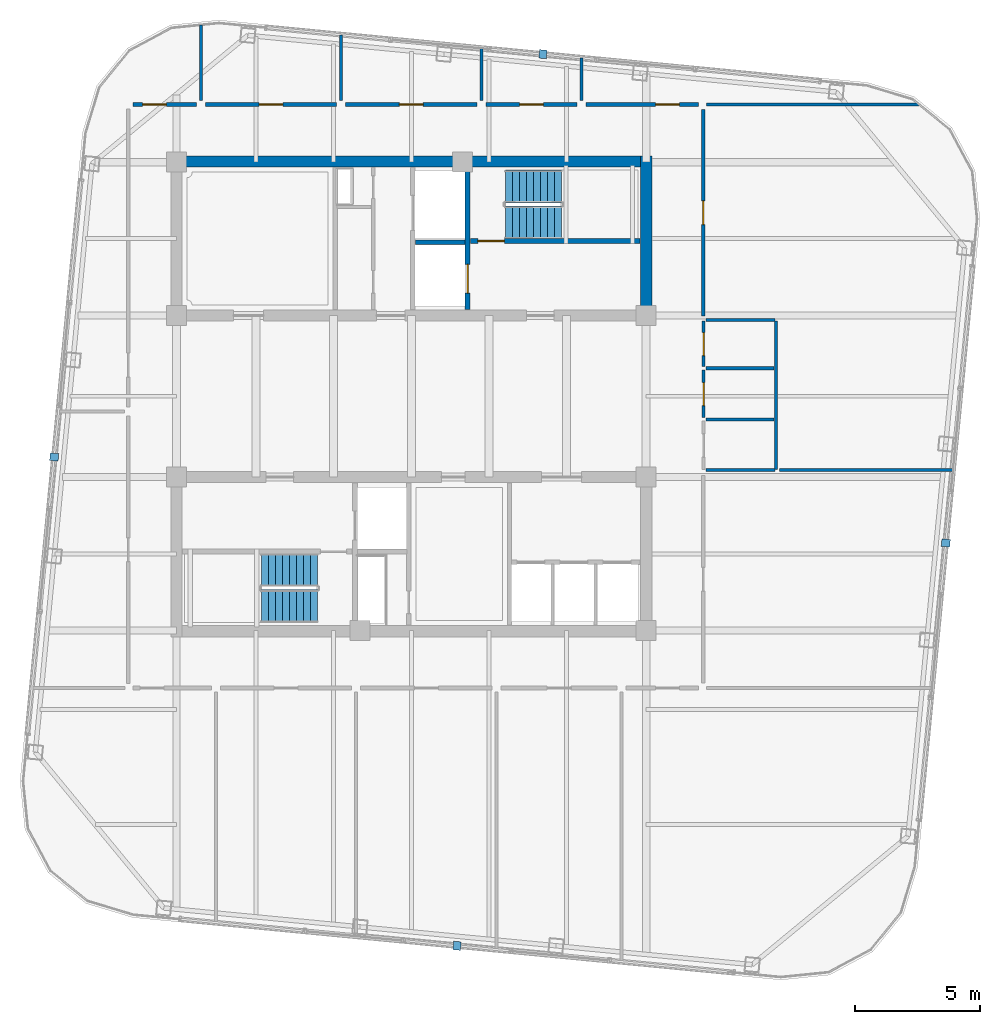
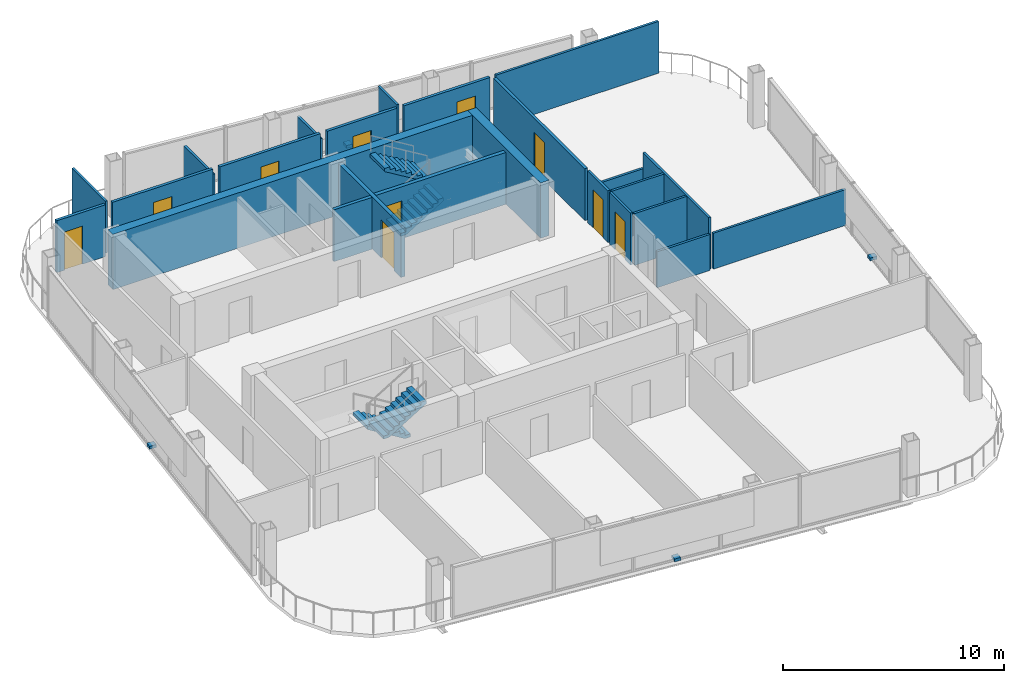
# One storey, part 18 of 22: 24 walls, 10 doors, 4 discrete accessories, 4 stair flights, 10 openings, 2 elements without a shape of their own.
"""IFC4 building model written with IfcOpenShell, lengths in metres."""

from ifc_helpers import new_model, si_unit, direction, frame, frame_2d, origin, origin_2d, place, context, subcontext, project, spatial, polyline, rectangle, outline, extrude, material, layer, layer_set, type_object, element, fill, aggregate, save


model = new_model("IFC4")

# Units and contexts
model_context = context("Model", 3, precision=1e-05, world=origin(), true_north=direction((0.0, 1.0)))
body_context = subcontext(model_context, "Body", "Model", "MODEL_VIEW")
ifc_project = project(units=[si_unit("LENGTHUNIT", "METRE"), si_unit("AREAUNIT", "SQUARE_METRE"), si_unit("VOLUMEUNIT", "CUBIC_METRE"), si_unit("PLANEANGLEUNIT", "RADIAN"), si_unit("MASSUNIT", "GRAM", prefix="KILO")], contexts=[model_context])

# Site, building, storey
site_placement = place(None, origin())
site = spatial("IfcSite", under=ifc_project, at=site_placement, CompositionType="ELEMENT")
building_placement = place(site_placement, origin())
building = spatial("IfcBuilding", under=site, at=building_placement, Name="Qhalaya Broadcast Tower", CompositionType="ELEMENT")
storey_placement = place(building_placement, frame((0.0, 0.0, 252.0)))
storey = spatial("IfcBuildingStorey", under=building, at=storey_placement, Name="L74", CompositionType="ELEMENT", Elevation=252.0)

# Wall, opening, door
ifc_material_1 = material(Name="Gypsum Acoustic Partition")
ifc_layer_1 = layer(ifc_material_1, 0.14990234375, Name="Gypsum Acoustic Partition")
ifc_layer_set_1 = layer_set([ifc_layer_1], Name="Gypsum Acoustic Partition")
wall_type_1 = type_object("IfcWallType", Name="Corridor & Tenancy Acoustic Partition 150", PredefinedType="PARTITIONING", material=ifc_layer_set_1)
wall_1_placement = place(storey_placement, frame((-11.1201171875, 12.25, 0.0), z_axis=(0.0, 0.0, 1.0), x_axis=(1.0, 0.0, 0.0)))
wall_1 = element("IfcWall", 1, at=wall_1_placement, inside=storey, type_object=wall_type_1, Name="L74 Partition Wall W-COR-01", PredefinedType="PARTITIONING", context=body_context, shape_type="SweptSolid", body=[
    extrude(rectangle(XDim=2.5400390625, YDim=0.14990234375, at=frame_2d((1.27001953125, 0.0))), origin(), (0.0, 0.0, 1.0), 2.860107421875),
])
opening_1_placement = place(wall_1_placement, frame((0.39501953125, 0.0, 0.0)))
opening_1 = element("IfcOpeningElement", 2, at=opening_1_placement, cuts=wall_1, Name="Opening D10", PredefinedType="OPENING", context=body_context, shape_type="SweptSolid", body=[
    extrude(rectangle(XDim=0.949951171875, YDim=2.10009765625, at=frame_2d((0.47509765625, 1.050048828125))), frame((0.0, 0.0869140625, 0.0), z_axis=(0.0, -1.0, 0.0), x_axis=(1.0, 0.0, 0.0)), (0.0, 0.0, 1.0), 0.173828125),
])
ifc_material_2 = material(Name="Timber Veneer Acoustic Door", Category="wood")
door_type_1 = type_object("IfcDoorType", Name="Cellular Office & Edit Booth Door D10", OperationType="NOTDEFINED", PredefinedType="DOOR", material=ifc_material_2)
door_1_placement = place(opening_1_placement, origin())
door_1 = element("IfcDoor", 3, at=door_1_placement, inside=storey, type_object=door_type_1, Name="L74 Door D-RM01", OperationType="SINGLE_SWING_RIGHT", OverallHeight=2.10009765625, OverallWidth=0.949951171875, PredefinedType="DOOR", context=body_context, shape_type="SweptSolid", body=[
    extrude(rectangle(XDim=0.949951171875, YDim=2.10009765625, at=frame_2d((0.47509765625, 1.050048828125))), frame((0.0, 0.02490234375, 0.0), z_axis=(0.0, -1.0, 0.0), x_axis=(1.0, 0.0, 0.0)), (0.0, 0.0, 1.0), 0.050048828125),
])
fill(opening_1, door_1)

wall_2_placement = place(storey_placement, frame((-8.219970703125, 12.25, 0.0), z_axis=(0.0, 0.0, 1.0), x_axis=(1.0, 0.0, 0.0)))
wall_2 = element("IfcWall", 4, at=wall_2_placement, inside=storey, type_object=wall_type_1, Name="L74 Partition Wall W-COR-02", PredefinedType="PARTITIONING", context=body_context, shape_type="SweptSolid", body=[
    extrude(rectangle(XDim=5.239990234375, YDim=0.14990234375, at=frame_2d((2.6201171875, 0.0))), origin(), (0.0, 0.0, 1.0), 2.860107421875),
])
opening_2_placement = place(wall_2_placement, frame((2.14501953125, 0.0, 0.0)))
opening_2 = element("IfcOpeningElement", 5, at=opening_2_placement, cuts=wall_2, Name="Opening D10", PredefinedType="OPENING", context=body_context, shape_type="SweptSolid", body=[
    extrude(rectangle(XDim=0.949951171875, YDim=2.10009765625, at=frame_2d((0.47509765625, 1.050048828125))), frame((0.0, 0.0869140625, 0.0), z_axis=(0.0, -1.0, 0.0), x_axis=(1.0, 0.0, 0.0)), (0.0, 0.0, 1.0), 0.173828125),
])
door_2_placement = place(opening_2_placement, origin())
door_2 = element("IfcDoor", 6, at=door_2_placement, inside=storey, type_object=door_type_1, Name="L74 Door D-RM02", OperationType="SINGLE_SWING_LEFT", OverallHeight=2.10009765625, OverallWidth=0.949951171875, PredefinedType="DOOR", context=body_context, shape_type="SweptSolid", body=[
    extrude(rectangle(XDim=0.949951171875, YDim=2.10009765625, at=frame_2d((0.47509765625, 1.050048828125))), frame((0.0, 0.02490234375, 0.0), z_axis=(0.0, -1.0, 0.0), x_axis=(1.0, 0.0, 0.0)), (0.0, 0.0, 1.0), 0.050048828125),
])
fill(opening_2, door_2)

wall_3_placement = place(storey_placement, frame((-2.6201171875, 12.25, 0.0), z_axis=(0.0, 0.0, 1.0), x_axis=(1.0, 0.0, 0.0)))
wall_3 = element("IfcWall", 7, at=wall_3_placement, inside=storey, type_object=wall_type_1, Name="L74 Partition Wall W-COR-03", PredefinedType="PARTITIONING", context=body_context, shape_type="SweptSolid", body=[
    extrude(rectangle(XDim=5.240234375, YDim=0.14990234375, at=frame_2d((2.6201171875, 0.0))), origin(), (0.0, 0.0, 1.0), 2.860107421875),
])
opening_3_placement = place(wall_3_placement, frame((2.14501953125, 0.0, 0.0)))
opening_3 = element("IfcOpeningElement", 8, at=opening_3_placement, cuts=wall_3, Name="Opening D10", PredefinedType="OPENING", context=body_context, shape_type="SweptSolid", body=[
    extrude(rectangle(XDim=0.949951171875, YDim=2.10009765625, at=frame_2d((0.47509765625, 1.050048828125))), frame((0.0, 0.0869140625, 0.0), z_axis=(0.0, -1.0, 0.0), x_axis=(1.0, 0.0, 0.0)), (0.0, 0.0, 1.0), 0.173828125),
])
door_3_placement = place(opening_3_placement, origin())
door_3 = element("IfcDoor", 9, at=door_3_placement, inside=storey, type_object=door_type_1, Name="L74 Door D-RM03", OperationType="SINGLE_SWING_RIGHT", OverallHeight=2.10009765625, OverallWidth=0.949951171875, PredefinedType="DOOR", context=body_context, shape_type="SweptSolid", body=[
    extrude(rectangle(XDim=0.949951171875, YDim=2.10009765625, at=frame_2d((0.47509765625, 1.050048828125))), frame((0.0, 0.02490234375, 0.0), z_axis=(0.0, -1.0, 0.0), x_axis=(1.0, 0.0, 0.0)), (0.0, 0.0, 1.0), 0.050048828125),
])
fill(opening_3, door_3)

wall_4_placement = place(storey_placement, frame((2.97998046875, 12.25, 0.0), z_axis=(0.0, 0.0, 1.0), x_axis=(1.0, 0.0, 0.0)))
wall_4 = element("IfcWall", 10, at=wall_4_placement, inside=storey, type_object=wall_type_1, Name="L74 Partition Wall W-COR-04", PredefinedType="PARTITIONING", context=body_context, shape_type="SweptSolid", body=[
    extrude(rectangle(XDim=3.64013671875, YDim=0.14990234375, at=frame_2d((1.820068359375, 0.0))), origin(), (0.0, 0.0, 1.0), 2.860107421875),
])
opening_4_placement = place(wall_4_placement, frame((1.344970703125, 0.0, 0.0)))
opening_4 = element("IfcOpeningElement", 11, at=opening_4_placement, cuts=wall_4, Name="Opening D10", PredefinedType="OPENING", context=body_context, shape_type="SweptSolid", body=[
    extrude(rectangle(XDim=0.949951171875, YDim=2.10009765625, at=frame_2d((0.47509765625, 1.050048828125))), frame((0.0, 0.0869140625, 0.0), z_axis=(0.0, -1.0, 0.0), x_axis=(1.0, 0.0, 0.0)), (0.0, 0.0, 1.0), 0.173828125),
])
door_4_placement = place(opening_4_placement, origin())
door_4 = element("IfcDoor", 12, at=door_4_placement, inside=storey, type_object=door_type_1, Name="L74 Door D-RM04", OperationType="SINGLE_SWING_LEFT", OverallHeight=2.10009765625, OverallWidth=0.949951171875, PredefinedType="DOOR", context=body_context, shape_type="SweptSolid", body=[
    extrude(rectangle(XDim=0.949951171875, YDim=2.10009765625, at=frame_2d((0.47509765625, 1.050048828125))), frame((0.0, 0.02490234375, 0.0), z_axis=(0.0, -1.0, 0.0), x_axis=(1.0, 0.0, 0.0)), (0.0, 0.0, 1.0), 0.050048828125),
])
fill(opening_4, door_4)

wall_5_placement = place(storey_placement, frame((6.97998046875, 12.25, 0.0), z_axis=(0.0, 0.0, 1.0), x_axis=(1.0, 0.0, 0.0)))
wall_5 = element("IfcWall", 13, at=wall_5_placement, inside=storey, type_object=wall_type_1, Name="L74 Partition Wall W-COR-05", PredefinedType="PARTITIONING", context=body_context, shape_type="SweptSolid", body=[
    extrude(rectangle(XDim=4.489990234375, YDim=0.14990234375, at=frame_2d((2.2451171875, 0.0))), origin(), (0.0, 0.0, 1.0), 2.860107421875),
])
opening_5_placement = place(wall_5_placement, frame((2.77001953125, 0.0, 0.0)))
opening_5 = element("IfcOpeningElement", 14, at=opening_5_placement, cuts=wall_5, Name="Opening D10", PredefinedType="OPENING", context=body_context, shape_type="SweptSolid", body=[
    extrude(rectangle(XDim=0.949951171875, YDim=2.10009765625, at=frame_2d((0.47509765625, 1.050048828125))), frame((0.0, 0.0869140625, 0.0), z_axis=(0.0, -1.0, 0.0), x_axis=(1.0, 0.0, 0.0)), (0.0, 0.0, 1.0), 0.173828125),
])
door_5_placement = place(opening_5_placement, origin())
door_5 = element("IfcDoor", 15, at=door_5_placement, inside=storey, type_object=door_type_1, Name="L74 Door D-RM05", OperationType="SINGLE_SWING_RIGHT", OverallHeight=2.10009765625, OverallWidth=0.949951171875, PredefinedType="DOOR", context=body_context, shape_type="SweptSolid", body=[
    extrude(rectangle(XDim=0.949951171875, YDim=2.10009765625, at=frame_2d((0.47509765625, 1.050048828125))), frame((0.0, 0.02490234375, 0.0), z_axis=(0.0, -1.0, 0.0), x_axis=(1.0, 0.0, 0.0)), (0.0, 0.0, 1.0), 0.050048828125),
])
fill(opening_5, door_5)

wall_6_placement = place(storey_placement, frame((11.64990234375, 3.800048828125, 0.0), z_axis=(0.0, 0.0, 1.0), x_axis=(0.0, 1.0, 0.0)))
wall_6 = element("IfcWall", 16, at=wall_6_placement, inside=storey, type_object=wall_type_1, Name="L74 Partition Wall W-COR-14", PredefinedType="PARTITIONING", context=body_context, shape_type="SweptSolid", body=[
    extrude(rectangle(XDim=8.25, YDim=0.14990234375, at=frame_2d((4.125, 0.0))), origin(), (0.0, 0.0, 1.0), 2.860107421875),
])
opening_6_placement = place(wall_6_placement, frame((3.64990234375, 0.0, 0.0)))
opening_6 = element("IfcOpeningElement", 17, at=opening_6_placement, cuts=wall_6, Name="Opening D10", PredefinedType="OPENING", context=body_context, shape_type="SweptSolid", body=[
    extrude(rectangle(XDim=0.949951171875, YDim=2.10009765625, at=frame_2d((0.47509765625, 1.050048828125))), frame((0.0, 0.0869140625, 0.0), z_axis=(0.0, -1.0, 0.0), x_axis=(1.0, 0.0, 0.0)), (0.0, 0.0, 1.0), 0.173828125),
])
door_6_placement = place(opening_6_placement, origin())
door_6 = element("IfcDoor", 18, at=door_6_placement, inside=storey, type_object=door_type_1, Name="L74 Door D-RM14", OperationType="SINGLE_SWING_LEFT", OverallHeight=2.10009765625, OverallWidth=0.949951171875, PredefinedType="DOOR", context=body_context, shape_type="SweptSolid", body=[
    extrude(rectangle(XDim=0.949951171875, YDim=2.10009765625, at=frame_2d((0.47509765625, 1.050048828125))), frame((0.0, 0.02490234375, 0.0), z_axis=(0.0, -1.0, 0.0), x_axis=(1.0, 0.0, 0.0)), (0.0, 0.0, 1.0), 0.050048828125),
])
fill(opening_6, door_6)

ifc_material_3 = material(Name="Concrete C50/60", Category="concrete")
ifc_layer_2 = layer(ifc_material_3, 0.199951171875, Name="Concrete C50/60")
ifc_layer_set_2 = layer_set([ifc_layer_2], Name="Concrete C50/60")
wall_type_2 = type_object("IfcWallType", Name="Load-Bearing Stair Shaft Wall 200", PredefinedType="SHEAR", material=ifc_layer_set_2)
wall_7_placement = place(storey_placement, frame((2.360107421875, 6.804931640625, 0.0), z_axis=(0.0, 0.0, 1.0), x_axis=(1.0, 0.0, 0.0)))
wall_7 = element("IfcWall", 19, at=wall_7_placement, inside=storey, type_object=wall_type_2, Name="L74 Stair Core Shear Wall NCW-ST1", PredefinedType="SHEAR", context=body_context, shape_type="SweptSolid", body=[
    extrude(rectangle(XDim=6.769775390625, YDim=0.199951171875, at=frame_2d((3.384765625, 0.0))), origin(), (0.0, 0.0, 1.0), 2.860107421875),
])
opening_7_placement = place(wall_7_placement, frame((0.300048828125, 0.0, 0.0)))
opening_7 = element("IfcOpeningElement", 20, at=opening_7_placement, cuts=wall_7, Name="Opening D03", PredefinedType="OPENING", context=body_context, shape_type="SweptSolid", body=[
    extrude(rectangle(XDim=1.050048828125, YDim=2.080078125, at=frame_2d((0.52490234375, 1.0400390625))), frame((0.0, 0.112060546875, 0.0), z_axis=(0.0, -1.0, 0.0), x_axis=(1.0, 0.0, 0.0)), (0.0, 0.0, 1.0), 0.223876953125),
])
ifc_material_4 = material(Name="Fire-Rated Steel Door", Category="steel")
door_type_2 = type_object("IfcDoorType", Name="Core Stair Protected Fire Door D03", OperationType="NOTDEFINED", PredefinedType="DOOR", material=ifc_material_4)
door_7_placement = place(opening_7_placement, origin())
door_7 = element("IfcDoor", 21, at=door_7_placement, inside=storey, type_object=door_type_2, Name="L74 Door D-NST1", OperationType="SINGLE_SWING_LEFT", OverallHeight=2.080078125, OverallWidth=1.050048828125, PredefinedType="DOOR", context=body_context, shape_type="SweptSolid", body=[
    extrude(rectangle(XDim=1.050048828125, YDim=2.080078125, at=frame_2d((0.52490234375, 1.0400390625))), frame((0.0, 0.02490234375, 0.0), z_axis=(0.0, -1.0, 0.0), x_axis=(1.0, 0.0, 0.0)), (0.0, 0.0, 1.0), 0.050048828125),
])
fill(opening_7, door_7)

wall_8_placement = place(storey_placement, frame((2.25, 4.070068359375, 0.0), z_axis=(0.0, 0.0, 1.0), x_axis=(0.0, 1.0, 0.0)))
wall_8 = element("IfcWall", 22, at=wall_8_placement, inside=storey, type_object=wall_type_2, Name="L74 Stair Core Shear Wall NCW-FF", PredefinedType="SHEAR", context=body_context, shape_type="SweptSolid", body=[
    extrude(rectangle(XDim=5.659912109375, YDim=0.199951171875, at=frame_2d((2.830078125, 0.0))), origin(), (0.0, 0.0, 1.0), 2.860107421875),
])
opening_8_placement = place(wall_8_placement, frame((0.64990234375, 0.0, 0.0)))
opening_8 = element("IfcOpeningElement", 23, at=opening_8_placement, cuts=wall_8, Name="Opening LD2", PredefinedType="OPENING", context=body_context, shape_type="SweptSolid", body=[
    extrude(rectangle(XDim=1.14990234375, YDim=2.080078125, at=frame_2d((0.574951171875, 1.0400390625))), frame((0.0, 0.112060546875, 0.0), z_axis=(0.0, -1.0, 0.0), x_axis=(1.0, 0.0, 0.0)), (0.0, 0.0, 1.0), 0.223876953125),
])
ifc_material_5 = material(Name="Brushed Stainless Steel Lift Door", Category="steel")
door_type_3 = type_object("IfcDoorType", Name="Firefighting Lift Sliding Landing Door LD2", OperationType="DOUBLE_DOOR_SLIDING", PredefinedType="DOOR", material=ifc_material_5)
door_8_placement = place(opening_8_placement, origin())
door_8 = element("IfcDoor", 24, at=door_8_placement, inside=storey, type_object=door_type_3, Name="L74 Door LD-FF1", OperationType="DOUBLE_DOOR_SLIDING", OverallHeight=2.080078125, OverallWidth=1.14990234375, PredefinedType="DOOR", context=body_context, shape_type="SweptSolid", body=[
    extrude(rectangle(XDim=1.14990234375, YDim=2.080078125, at=frame_2d((0.574951171875, 1.0400390625))), frame((0.0, 0.02490234375, 0.0), z_axis=(0.0, -1.0, 0.0), x_axis=(1.0, 0.0, 0.0)), (0.0, 0.0, 1.0), 0.050048828125),
])
fill(opening_8, door_8)

ifc_layer_3 = layer(ifc_material_1, 0.1201171875, Name="Gypsum Acoustic Partition")
ifc_layer_set_3 = layer_set([ifc_layer_3], Name="Gypsum Acoustic Partition")
wall_type_3 = type_object("IfcWallType", Name="Office, Booth & Sanitary Partition 120", PredefinedType="PARTITIONING", material=ifc_layer_set_3)
wall_9_placement = place(storey_placement, frame((11.669921875, -0.25, 0.0), z_axis=(0.0, 0.0, 1.0), x_axis=(0.0, 1.0, 0.0)))
wall_9 = element("IfcWall", 25, at=wall_9_placement, inside=storey, type_object=wall_type_3, Name="L74 Partition Wall W-WCWM", PredefinedType="PARTITIONING", context=body_context, shape_type="SweptSolid", body=[
    extrude(rectangle(XDim=1.89990234375, YDim=0.1201171875, at=frame_2d((0.949951171875, 0.0))), origin(), (0.0, 0.0, 1.0), 2.860107421875),
])
opening_9_placement = place(wall_9_placement, frame((0.47509765625, 0.0, 0.0)))
opening_9 = element("IfcOpeningElement", 26, at=opening_9_placement, cuts=wall_9, Name="Opening D12", PredefinedType="OPENING", context=body_context, shape_type="SweptSolid", body=[
    extrude(rectangle(XDim=0.919921875, YDim=2.10009765625, at=frame_2d((0.4599609375, 1.050048828125))), frame((0.0, 0.072021484375, 0.0), z_axis=(0.0, -1.0, 0.0), x_axis=(1.0, 0.0, 0.0)), (0.0, 0.0, 1.0), 0.14404296875),
])
door_type_4 = type_object("IfcDoorType", Name="Accessible WC & Restroom Door D12", OperationType="NOTDEFINED", PredefinedType="DOOR", material=ifc_material_2)
door_9_placement = place(opening_9_placement, origin())
door_9 = element("IfcDoor", 27, at=door_9_placement, inside=storey, type_object=door_type_4, Name="L74 Door D-WCM", OperationType="SINGLE_SWING_RIGHT", OverallHeight=2.10009765625, OverallWidth=0.919921875, PredefinedType="DOOR", context=body_context, shape_type="SweptSolid", body=[
    extrude(rectangle(XDim=0.919921875, YDim=2.10009765625, at=frame_2d((0.4599609375, 1.050048828125))), frame((0.0, 0.02490234375, 0.0), z_axis=(0.0, -1.0, 0.0), x_axis=(1.0, 0.0, 0.0)), (0.0, 0.0, 1.0), 0.050048828125),
])
fill(opening_9, door_9)

wall_10_placement = place(storey_placement, frame((11.669921875, 1.780029296875, 0.0), z_axis=(0.0, 0.0, 1.0), x_axis=(0.0, 1.0, 0.0)))
wall_10 = element("IfcWall", 28, at=wall_10_placement, inside=storey, type_object=wall_type_3, Name="L74 Partition Wall W-WCWF", PredefinedType="PARTITIONING", context=body_context, shape_type="SweptSolid", body=[
    extrude(rectangle(XDim=1.830078125, YDim=0.1201171875, at=frame_2d((0.9150390625, 0.0))), origin(), (0.0, 0.0, 1.0), 2.860107421875),
])
opening_10_placement = place(wall_10_placement, frame((0.43994140625, 0.0, 0.0)))
opening_10 = element("IfcOpeningElement", 29, at=opening_10_placement, cuts=wall_10, Name="Opening D12", PredefinedType="OPENING", context=body_context, shape_type="SweptSolid", body=[
    extrude(rectangle(XDim=0.919921875, YDim=2.10009765625, at=frame_2d((0.4599609375, 1.050048828125))), frame((0.0, 0.072021484375, 0.0), z_axis=(0.0, -1.0, 0.0), x_axis=(1.0, 0.0, 0.0)), (0.0, 0.0, 1.0), 0.14404296875),
])
door_10_placement = place(opening_10_placement, origin())
door_10 = element("IfcDoor", 30, at=door_10_placement, inside=storey, type_object=door_type_4, Name="L74 Door D-WCF", OperationType="SINGLE_SWING_LEFT", OverallHeight=2.10009765625, OverallWidth=0.919921875, PredefinedType="DOOR", context=body_context, shape_type="SweptSolid", body=[
    extrude(rectangle(XDim=0.919921875, YDim=2.10009765625, at=frame_2d((0.4599609375, 1.050048828125))), frame((0.0, 0.02490234375, 0.0), z_axis=(0.0, -1.0, 0.0), x_axis=(1.0, 0.0, 0.0)), (0.0, 0.0, 1.0), 0.050048828125),
])
fill(opening_10, door_10)

# Walls
wall_11_placement = place(storey_placement, frame((14.550048828125, -2.320068359375, 0.0), z_axis=(0.0, 0.0, 1.0), x_axis=(0.0, 1.0, 0.0)))
element("IfcWall", 31, at=wall_11_placement, inside=storey, type_object=wall_type_3, Name="L74 Partition Wall W-WCE", PredefinedType="PARTITIONING", context=body_context, shape_type="SweptSolid", body=[
    extrude(rectangle(XDim=5.93017578125, YDim=0.1201171875, at=frame_2d((2.965087890625, 0.0))), origin(), (0.0, 0.0, 1.0), 2.860107421875),
])
for number, where, z_axis, x_axis, name in (
    (32, (11.760009765625, -2.35009765625, 0.0), (0.0, 0.0, 1.0), (1.0, 0.0, 0.0), "L74 Partition Wall W-WCS"),
    (33, (11.760009765625, 3.639892578125, 0.0), (0.0, 0.0, 1.0), (1.0, 0.0, 0.0), "L74 Partition Wall W-WCN"),
):
    element("IfcWall", number, at=place(storey_placement, frame(where, z_axis=z_axis, x_axis=x_axis)), inside=storey, type_object=wall_type_3, Name=name, PredefinedType="PARTITIONING", context=body_context, shape_type="SweptSolid", body=[
        extrude(rectangle(XDim=2.760009765625, YDim=0.1201171875, at=frame_2d((1.3798828125, 0.0))), origin(), (0.0, 0.0, 1.0), 1.98095703125),
    ])
for number, where, z_axis, x_axis, name in (
    (34, (11.760009765625, -0.320068359375, 0.0), (0.0, 0.0, 1.0), (1.0, 0.0, 0.0), "L74 Partition Wall W-WCD1"),
    (35, (11.760009765625, 1.719970703125, 0.0), (0.0, 0.0, 1.0), (1.0, 0.0, 0.0), "L74 Partition Wall W-WCD2"),
):
    element("IfcWall", number, at=place(storey_placement, frame(where, z_axis=z_axis, x_axis=x_axis)), inside=storey, type_object=wall_type_3, Name=name, PredefinedType="PARTITIONING", context=body_context, shape_type="SweptSolid", body=[
        extrude(rectangle(XDim=2.719970703125, YDim=0.1201171875, at=frame_2d((1.35986328125, 0.0))), origin(), (0.0, 0.0, 1.0), 2.860107421875),
    ])
wall_12_placement = place(storey_placement, frame((11.7900390625, 12.25, 0.0), z_axis=(0.0, 0.0, 1.0), x_axis=(1.0, 0.0, 0.0)))
element("IfcWall", 36, at=wall_12_placement, inside=storey, type_object=wall_type_3, Name="L74 Partition Wall W-BNDE1", PredefinedType="PARTITIONING", context=body_context, shape_type="SweptSolid", body=[
    extrude(rectangle(XDim=8.484130859375, YDim=0.1201171875, at=frame_2d((4.2421875, 0.0))), origin(), (0.0, 0.0, 1.0), 2.860107421875),
])
wall_13_placement = place(storey_placement, frame((-8.39990234375, 12.409912109375, 0.0), z_axis=(0.0, 0.0, 1.0), x_axis=(0.0, 1.0, 0.0)))
element("IfcWall", 37, at=wall_13_placement, inside=storey, type_object=wall_type_3, Name="L74 Partition Wall W-DIVN1", PredefinedType="PARTITIONING", context=body_context, shape_type="SweptSolid", body=[
    extrude(rectangle(XDim=3.01953125, YDim=0.1201171875, at=frame_2d((1.509765625, 0.0))), origin(), (0.0, 0.0, 1.0), 2.860107421875),
])
wall_14_placement = place(storey_placement, frame((-2.800048828125, 12.409912109375, 0.0), z_axis=(0.0, 0.0, 1.0), x_axis=(0.0, 1.0, 0.0)))
element("IfcWall", 38, at=wall_14_placement, inside=storey, type_object=wall_type_3, Name="L74 Partition Wall W-DIVN2", PredefinedType="PARTITIONING", context=body_context, shape_type="SweptSolid", body=[
    extrude(rectangle(XDim=2.623291015625, YDim=0.1201171875, at=frame_2d((1.3115234375, 0.0))), origin(), (0.0, 0.0, 1.0), 2.381103515625),
])
wall_15_placement = place(storey_placement, frame((2.800048828125, 12.409912109375, 0.0), z_axis=(0.0, 0.0, 1.0), x_axis=(0.0, 1.0, 0.0)))
element("IfcWall", 39, at=wall_15_placement, inside=storey, type_object=wall_type_3, Name="L74 Partition Wall W-DIVN3", PredefinedType="PARTITIONING", context=body_context, shape_type="SweptSolid", body=[
    extrude(rectangle(XDim=2.083984375, YDim=0.1201171875, at=frame_2d((1.0419921875, 0.0))), origin(), (0.0, 0.0, 1.0), 2.381103515625),
])
wall_16_placement = place(storey_placement, frame((6.800048828125, 12.409912109375, 0.0), z_axis=(0.0, 0.0, 1.0), x_axis=(0.0, 1.0, 0.0)))
element("IfcWall", 40, at=wall_16_placement, inside=storey, type_object=wall_type_3, Name="L74 Partition Wall W-DIVN4", PredefinedType="PARTITIONING", context=body_context, shape_type="SweptSolid", body=[
    extrude(rectangle(XDim=1.698974609375, YDim=0.1201171875, at=frame_2d((0.849609375, 0.0))), origin(), (0.0, 0.0, 1.0), 2.860107421875),
])
wall_17_placement = place(storey_placement, frame((14.68994140625, -2.35009765625, 0.0), z_axis=(0.0, 0.0, 1.0), x_axis=(1.0, 0.0, 0.0)))
element("IfcWall", 41, at=wall_17_placement, inside=storey, type_object=wall_type_3, Name="L74 Partition Wall W-DIVE-WC", PredefinedType="PARTITIONING", context=body_context, shape_type="SweptSolid", body=[
    extrude(rectangle(XDim=6.92724609375, YDim=0.1201171875, at=frame_2d((3.463623046875, 0.0))), origin(), (0.0, 0.0, 1.0), 1.98095703125),
])
ifc_layer_4 = layer(ifc_material_1, 0.175048828125, Name="Gypsum Acoustic Partition")
ifc_layer_set_4 = layer_set([ifc_layer_4], Name="Gypsum Acoustic Partition")
wall_type_4 = type_object("IfcWallType", Name="Shaft & Riser Fire Partition 175", PredefinedType="PARTITIONING", material=ifc_layer_set_4)
wall_18_placement = place(storey_placement, frame((0.159912109375, 6.75, 0.0), z_axis=(0.0, 0.0, 1.0), x_axis=(1.0, 0.0, 0.0)))
element("IfcWall", 42, at=wall_18_placement, inside=storey, type_object=wall_type_4, Name="L74 Partition Wall NCW-SVM", PredefinedType="PARTITIONING", context=body_context, shape_type="SweptSolid", body=[
    extrude(rectangle(XDim=1.97998046875, YDim=0.175048828125, at=frame_2d((0.989990234375, 0.0))), origin(), (0.0, 0.0, 1.0), 2.860107421875),
])
ifc_layer_5 = layer(ifc_material_3, 0.449951171875, Name="Concrete C50/60")
ifc_layer_set_5 = layer_set([ifc_layer_5], Name="Concrete C50/60")
wall_type_5 = type_object("IfcWallType", Name="Upper Split-Core Shear Wall 450", PredefinedType="SHEAR", material=ifc_layer_set_5)
wall_19_placement = place(storey_placement, frame((-9.60009765625, 9.97509765625, 0.0), z_axis=(0.0, 0.0, 1.0), x_axis=(1.0, 0.0, 0.0)))
element("IfcWall", 43, at=wall_19_placement, inside=storey, type_object=wall_type_5, Name="L74 Split-Core Shear Wall CW-NN", PredefinedType="SHEAR", context=body_context, shape_type="SweptSolid", body=[
    extrude(rectangle(XDim=19.2001953125, YDim=0.449951171875, at=frame_2d((9.60009765625, 0.0))), origin(), (0.0, 0.0, 1.0), 3.050048828125),
])
wall_20_placement = place(storey_placement, frame((9.375, 3.60009765625, 0.0), z_axis=(0.0, 0.0, 1.0), x_axis=(0.0, 1.0, 0.0)))
element("IfcWall", 44, at=wall_20_placement, inside=storey, type_object=wall_type_5, Name="L74 Split-Core Shear Wall CW-NE", PredefinedType="SHEAR", context=body_context, shape_type="SweptSolid", body=[
    extrude(rectangle(XDim=6.599853515625, YDim=0.449951171875, at=frame_2d((3.2998046875, 0.0))), origin(), (0.0, 0.0, 1.0), 3.050048828125),
])

# Stair, stair flights
ifc_material_6 = material(Name="Concrete C40/50", Category="concrete")
stair_type = type_object("IfcStairType", Name="Protected Dogleg Core Stair 3150", PredefinedType="TWO_STRAIGHT_RUN_STAIR", material=ifc_material_6)
stair_1_placement = place(storey_placement, origin())
stair_1 = element("IfcStair", 45, at=stair_1_placement, inside=storey, type_object=stair_type, Name="L74 North Core Exit Stair ST-1", PredefinedType="TWO_STRAIGHT_RUN_STAIR")
ifc_material_7 = material(Name="Precast Concrete C40/50", Category="concrete")
stair_flight_type = type_object("IfcStairFlightType", Name="Precast Concrete Stair Flight 3150", PredefinedType="STRAIGHT", material=ifc_material_7)
stair_flight_1_placement = place(storey_placement, frame((3.75, 7.5400390625, 0.0), z_axis=(0.0, 0.0, 1.0), x_axis=(1.0, 0.0, 0.0)))
stair_flight_1 = element("IfcStairFlight", 46, at=stair_flight_1_placement, type_object=stair_flight_type, Name="ST-1 flight 1", NumberOfRisers=9, NumberOfTreads=8, PredefinedType="STRAIGHT", RiserHeight=0.169444444, TreadLength=0.28, context=body_context, shape_type="SweptSolid", body=[
    extrude(outline(polyline([(0.0, 0.0), (0.0, 0.16943359375), (0.280029296875, 0.16943359375), (0.280029296875, 0.3388671875), (0.56005859375, 0.3388671875), (0.56005859375, 0.50830078125), (0.840087890625, 0.50830078125), (0.840087890625, 0.677734375), (1.1201171875, 0.677734375), (1.1201171875, 0.84716796875), (1.39990234375, 0.84716796875), (1.39990234375, 1.0166015625), (1.679931640625, 1.0166015625), (1.679931640625, 1.18603515625), (1.9599609375, 1.18603515625), (1.9599609375, 1.35546875), (2.239990234375, 1.35546875), (2.239990234375, 1.52490234375), (2.239990234375, 1.180419921875), (0.28955078125, 0.0), (0.0, 0.0)])), frame((0.0, 0.66015625, 0.0), z_axis=(0.0, -1.0, 0.0), x_axis=(1.0, 0.0, 0.0)), (0.0, 0.0, 1.0), 1.320068359375),
])
stair_flight_2_placement = place(storey_placement, frame((5.989990234375, 8.97998046875, 1.52490234375), z_axis=(0.0, 0.0, 1.0), x_axis=(-1.0, 0.0, 0.0)))
stair_flight_2 = element("IfcStairFlight", 47, at=stair_flight_2_placement, type_object=stair_flight_type, Name="ST-1 flight 2", NumberOfRisers=9, NumberOfTreads=8, PredefinedType="STRAIGHT", RiserHeight=0.169444444, TreadLength=0.28, context=body_context, shape_type="SweptSolid", body=[
    extrude(outline(polyline([(0.0, 0.0), (0.0, 0.16943359375), (0.280029296875, 0.16943359375), (0.280029296875, 0.3388671875), (0.56005859375, 0.3388671875), (0.56005859375, 0.50830078125), (0.840087890625, 0.50830078125), (0.840087890625, 0.677734375), (1.1201171875, 0.677734375), (1.1201171875, 0.84716796875), (1.39990234375, 0.84716796875), (1.39990234375, 1.0166015625), (1.679931640625, 1.0166015625), (1.679931640625, 1.18603515625), (1.9599609375, 1.18603515625), (1.9599609375, 1.35546875), (2.239990234375, 1.35546875), (2.239990234375, 1.52490234375), (2.239990234375, 1.180419921875), (0.28955078125, 0.0), (0.0, 0.0)])), frame((0.0, 0.66015625, 0.0), z_axis=(0.0, -1.0, 0.0), x_axis=(1.0, 0.0, 0.0)), (0.0, 0.0, 1.0), 1.320068359375),
])
aggregate(stair_1, [stair_flight_1, stair_flight_2])

stair_2_placement = place(storey_placement, origin())
stair_2 = element("IfcStair", 48, at=stair_2_placement, inside=storey, type_object=stair_type, Name="L74 South Core Exit Stair ST-2", PredefinedType="TWO_STRAIGHT_RUN_STAIR")
stair_flight_3_placement = place(storey_placement, frame((-3.75, -6.340087890625, 0.0), z_axis=(0.0, 0.0, 1.0), x_axis=(-1.0, 0.0, 0.0)))
stair_flight_3 = element("IfcStairFlight", 49, at=stair_flight_3_placement, type_object=stair_flight_type, Name="ST-2 flight 1", NumberOfRisers=9, NumberOfTreads=8, PredefinedType="STRAIGHT", RiserHeight=0.169444444, TreadLength=0.28, context=body_context, shape_type="SweptSolid", body=[
    extrude(outline(polyline([(0.0, 0.0), (0.0, 0.16943359375), (0.280029296875, 0.16943359375), (0.280029296875, 0.3388671875), (0.56005859375, 0.3388671875), (0.56005859375, 0.50830078125), (0.840087890625, 0.50830078125), (0.840087890625, 0.677734375), (1.1201171875, 0.677734375), (1.1201171875, 0.84716796875), (1.39990234375, 0.84716796875), (1.39990234375, 1.0166015625), (1.679931640625, 1.0166015625), (1.679931640625, 1.18603515625), (1.9599609375, 1.18603515625), (1.9599609375, 1.35546875), (2.239990234375, 1.35546875), (2.239990234375, 1.52490234375), (2.239990234375, 1.180419921875), (0.28955078125, 0.0), (0.0, 0.0)])), frame((0.0, 0.66015625, 0.0), z_axis=(0.0, -1.0, 0.0), x_axis=(1.0, 0.0, 0.0)), (0.0, 0.0, 1.0), 1.320068359375),
])
stair_flight_4_placement = place(storey_placement, frame((-5.989990234375, -7.780029296875, 1.52490234375), z_axis=(0.0, 0.0, 1.0), x_axis=(1.0, 0.0, 0.0)))
stair_flight_4 = element("IfcStairFlight", 50, at=stair_flight_4_placement, type_object=stair_flight_type, Name="ST-2 flight 2", NumberOfRisers=9, NumberOfTreads=8, PredefinedType="STRAIGHT", RiserHeight=0.169444444, TreadLength=0.28, context=body_context, shape_type="SweptSolid", body=[
    extrude(outline(polyline([(0.0, 0.0), (0.0, 0.16943359375), (0.280029296875, 0.16943359375), (0.280029296875, 0.3388671875), (0.56005859375, 0.3388671875), (0.56005859375, 0.50830078125), (0.840087890625, 0.50830078125), (0.840087890625, 0.677734375), (1.1201171875, 0.677734375), (1.1201171875, 0.84716796875), (1.39990234375, 0.84716796875), (1.39990234375, 1.0166015625), (1.679931640625, 1.0166015625), (1.679931640625, 1.18603515625), (1.9599609375, 1.18603515625), (1.9599609375, 1.35546875), (2.239990234375, 1.35546875), (2.239990234375, 1.52490234375), (2.239990234375, 1.180419921875), (0.28955078125, 0.0), (0.0, 0.0)])), frame((0.0, 0.66015625, 0.0), z_axis=(0.0, -1.0, 0.0), x_axis=(1.0, 0.0, 0.0)), (0.0, 0.0, 1.0), 1.320068359375),
])
aggregate(stair_2, [stair_flight_3, stair_flight_4])

# Discrete accessories
ifc_material_8 = material(Name="Structural Steel ASTM A572 Grade 50", Category="steel")
discrete_accessory_type = type_object("IfcDiscreteAccessoryType", Name="Facade Baguette Support Bracket BRK-01", PredefinedType="BRACKET", material=ifc_material_8)
for number, where, z_axis, x_axis, name in (
    (51, (1.826171875, -21.337646484375, 0.0), (0.0, 0.0, 1.0), (0.995396198367, -0.09584575252, 0.0), "L74 Baguette Support Bracket S"),
    (52, (21.337646484375, -5.25390625, 0.0), (0.0, 0.0, 1.0), (0.09584575252, 0.995396198367, 0.0), "L74 Baguette Support Bracket E"),
    (53, (5.25390625, 14.2578125, 0.0), (0.0, 0.0, 1.0), (-0.995396198367, 0.09584575252, 0.0), "L74 Baguette Support Bracket N"),
    (54, (-14.2578125, -1.826171875, 0.0), (0.0, 0.0, 1.0), (-0.09584575252, -0.995396198367, 0.0), "L74 Baguette Support Bracket W"),
):
    element("IfcDiscreteAccessory", number, at=place(storey_placement, frame(where, z_axis=z_axis, x_axis=x_axis)), inside=storey, type_object=discrete_accessory_type, Name=name, PredefinedType="BRACKET", context=body_context, shape_type="SweptSolid", body=[
        extrude(rectangle(XDim=0.300048828125, YDim=0.340087890625, at=origin_2d()), origin(), (0.0, 0.0, 1.0), 0.159912109375),
    ])

save(model, "model.ifc")
